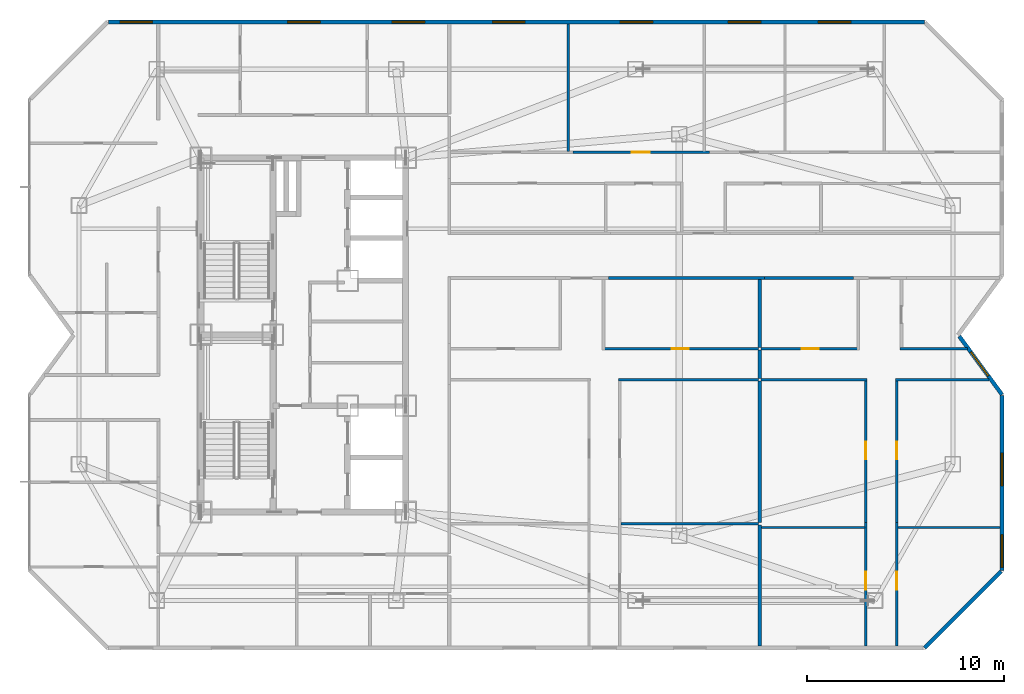
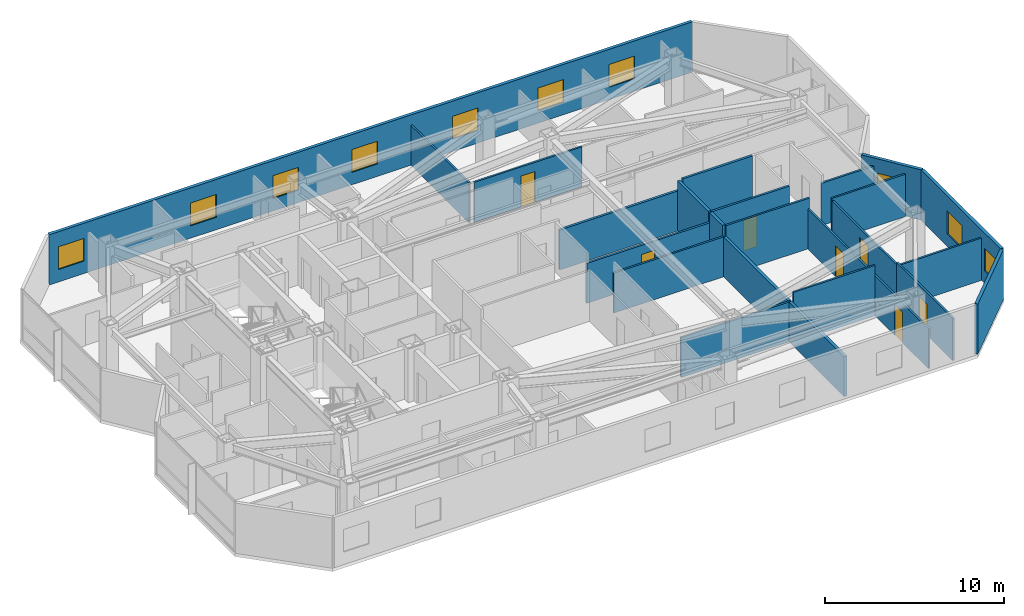
# One storey, part 13 of 15: 25 walls, 10 windows, 7 doors, 17 openings.
"""IFC4 building model written with IfcOpenShell, lengths in metres."""

from ifc_helpers import new_model, si_unit, direction, frame, frame_2d, origin, place, context, subcontext, project, spatial, rectangle, extrude, material, layer, layer_set, type_object, element, fill, save


model = new_model("IFC4")

# Units and contexts
model_context = context("Model", 3, precision=1e-05, world=origin(), true_north=direction((0.0, 1.0)))
body_context = subcontext(model_context, "Body", "Model", "MODEL_VIEW")
ifc_project = project(units=[si_unit("LENGTHUNIT", "METRE"), si_unit("AREAUNIT", "SQUARE_METRE"), si_unit("VOLUMEUNIT", "CUBIC_METRE"), si_unit("PLANEANGLEUNIT", "RADIAN"), si_unit("MASSUNIT", "GRAM", prefix="KILO")], contexts=[model_context])

# Site, building, storey
site_placement = place(None, origin())
site = spatial("IfcSite", under=ifc_project, at=site_placement, CompositionType="ELEMENT")
building_placement = place(site_placement, origin())
building = spatial("IfcBuilding", under=site, at=building_placement, Name="Khamvora Tower", CompositionType="ELEMENT")
storey_placement = place(building_placement, frame((0.0, 0.0, 220.85009765625)))
storey = spatial("IfcBuildingStorey", under=building, at=storey_placement, Name="L56", CompositionType="ELEMENT", Elevation=220.85009765625)

# Walls
ifc_material_1 = material(Name="Fire-Rated Drywall and Steel Stud", Category="steel")
ifc_layer_1 = layer(ifc_material_1, 0.14990234375)
ifc_layer_set_1 = layer_set([ifc_layer_1], Name="Fire-Rated Drywall and Steel Stud")
wall_type_1 = type_object("IfcWallType", Name="WAL-CORR-150", PredefinedType="STANDARD", material=ifc_layer_set_1)
wall_1_placement = place(storey_placement, frame((57.634033203125, 30.885009765625, 0.0), z_axis=(0.0, 0.0, 1.0), x_axis=(-1.0, 0.0, 0.0)))
element("IfcWall", 1, at=wall_1_placement, inside=storey, type_object=wall_type_1, Name="L56 interior partition wall 024", PredefinedType="STANDARD", context=body_context, shape_type="SweptSolid", body=[
    extrude(rectangle(XDim=7.93505859375, YDim=0.14990234375, at=frame_2d((3.967529296875, 0.0))), origin(), (0.0, 0.0, 1.0), 2.724853515625),
])
wall_2_placement = place(storey_placement, frame((62.14208984375, 30.885009765625, 0.0), z_axis=(0.0, 0.0, 1.0), x_axis=(-1.0, 0.0, 0.0)))
element("IfcWall", 2, at=wall_2_placement, inside=storey, type_object=wall_type_1, Name="L56 interior partition wall 029", PredefinedType="STANDARD", context=body_context, shape_type="SweptSolid", body=[
    extrude(rectangle(XDim=4.508056640625, YDim=0.14990234375, at=frame_2d((2.25390625, 0.0))), origin(), (0.0, 0.0, 1.0), 3.429931640625),
])
ifc_material_2 = material(Name="Acoustic Double-Stud Fire Wall", Category="gypsum")
ifc_layer_2 = layer(ifc_material_2, 0.179931640625)
ifc_layer_set_2 = layer_set([ifc_layer_2], Name="Acoustic Double-Stud Fire Wall")
wall_type_2 = type_object("IfcWallType", Name="WAL-CORR-180", PredefinedType="STANDARD", material=ifc_layer_set_2)
wall_3_placement = place(storey_placement, frame((57.385009765625, 27.239990234375, 0.0), z_axis=(0.0, 0.0, 1.0), x_axis=(0.0, -1.0, 0.0)))
element("IfcWall", 3, at=wall_3_placement, inside=storey, type_object=wall_type_2, Name="L56 interior partition wall 072", PredefinedType="STANDARD", context=body_context, shape_type="SweptSolid", body=[
    extrude(rectangle(XDim=1.449951171875, YDim=0.179931640625, at=frame_2d((0.72509765625, 0.0))), origin(), (0.0, 0.0, 1.0), 3.429931640625),
])
wall_4_placement = place(storey_placement, frame((57.385009765625, 30.820068359375, 0.0), z_axis=(0.0, 0.0, 1.0), x_axis=(0.0, -1.0, 0.0)))
element("IfcWall", 4, at=wall_4_placement, inside=storey, type_object=wall_type_2, Name="L56 interior partition wall 073", PredefinedType="STANDARD", context=body_context, shape_type="SweptSolid", body=[
    extrude(rectangle(XDim=3.449951171875, YDim=0.179931640625, at=frame_2d((1.72509765625, 0.0))), origin(), (0.0, 0.0, 1.0), 3.429931640625),
])
wall_5_placement = place(storey_placement, frame((57.385009765625, 18.339111328125, 0.0), z_axis=(0.0, 0.0, 1.0), x_axis=(0.0, -1.0, 0.0)))
element("IfcWall", 5, at=wall_5_placement, inside=storey, type_object=wall_type_2, Name="L56 interior partition wall 076", PredefinedType="STANDARD", context=body_context, shape_type="SweptSolid", body=[
    extrude(rectangle(XDim=6.147216796875, YDim=0.179931640625, at=frame_2d((3.07373046875, 0.0))), origin(), (0.0, 0.0, 1.0), 2.724853515625),
])
wall_6_placement = place(storey_placement, frame((57.385009765625, 25.659912109375, 0.0), z_axis=(0.0, 0.0, 1.0), x_axis=(0.0, -1.0, 0.0)))
element("IfcWall", 6, at=wall_6_placement, inside=storey, type_object=wall_type_2, Name="L56 interior partition wall 077", PredefinedType="STANDARD", context=body_context, shape_type="SweptSolid", body=[
    extrude(rectangle(XDim=7.19091796875, YDim=0.179931640625, at=frame_2d((3.595458984375, 0.0))), origin(), (0.0, 0.0, 1.0), 2.724853515625),
])

# Wall, openings, windows
ifc_material_3 = material(Name="Precast concrete C40/50", Category="concrete")
ifc_layer_3 = layer(ifc_material_3, 0.199951171875)
ifc_layer_set_3 = layer_set([ifc_layer_3], Name="Precast concrete C40/50")
wall_type_3 = type_object("IfcWallType", Name="WAL-EXT-200", PredefinedType="STANDARD", material=ifc_layer_set_3)
wall_7_placement = place(storey_placement, frame((24.302001953125, 43.89990234375, 0.0), z_axis=(0.0, 0.0, 1.0), x_axis=(1.0, 0.0, 0.0)))
wall_7 = element("IfcWall", 7, at=wall_7_placement, inside=storey, type_object=wall_type_3, Name="L56 exterior facade wall 07.1", PredefinedType="STANDARD", context=body_context, shape_type="SweptSolid", body=[
    extrude(rectangle(XDim=41.45703125, YDim=0.199951171875, at=frame_2d((20.728515625, 0.0))), origin(), (0.0, 0.0, 1.0), 3.429931640625),
])
opening_1_placement = place(wall_7_placement, frame((0.583984375, 0.0, 0.85009765625)))
opening_1 = element("IfcOpeningElement", 8, at=opening_1_placement, cuts=wall_7, Name="Opening WN-06", PredefinedType="OPENING", context=body_context, shape_type="SweptSolid", body=[
    extrude(rectangle(XDim=1.64990234375, YDim=1.550048828125, at=frame_2d((0.824951171875, 0.77490234375))), frame((0.0, 0.10986328125, 0.0), z_axis=(0.0, -1.0, 0.0), x_axis=(1.0, 0.0, 0.0)), (0.0, 0.0, 1.0), 0.219970703125),
])
opening_2_placement = place(wall_7_placement, frame((9.097900390625, 0.0, 0.85009765625)))
opening_2 = element("IfcOpeningElement", 9, at=opening_2_placement, cuts=wall_7, Name="Opening WN-06", PredefinedType="OPENING", context=body_context, shape_type="SweptSolid", body=[
    extrude(rectangle(XDim=1.64990234375, YDim=1.550048828125, at=frame_2d((0.824951171875, 0.77490234375))), frame((0.0, 0.10986328125, 0.0), z_axis=(0.0, -1.0, 0.0), x_axis=(1.0, 0.0, 0.0)), (0.0, 0.0, 1.0), 0.219970703125),
])
opening_3_placement = place(wall_7_placement, frame((14.405029296875, 0.0, 0.85009765625)))
opening_3 = element("IfcOpeningElement", 10, at=opening_3_placement, cuts=wall_7, Name="Opening WN-06", PredefinedType="OPENING", context=body_context, shape_type="SweptSolid", body=[
    extrude(rectangle(XDim=1.64990234375, YDim=1.550048828125, at=frame_2d((0.824951171875, 0.77490234375))), frame((0.0, 0.10986328125, 0.0), z_axis=(0.0, -1.0, 0.0), x_axis=(1.0, 0.0, 0.0)), (0.0, 0.0, 1.0), 0.219970703125),
])
opening_4_placement = place(wall_7_placement, frame((19.510009765625, 0.0, 0.85009765625)))
opening_4 = element("IfcOpeningElement", 11, at=opening_4_placement, cuts=wall_7, Name="Opening WN-06", PredefinedType="OPENING", context=body_context, shape_type="SweptSolid", body=[
    extrude(rectangle(XDim=1.64990234375, YDim=1.550048828125, at=frame_2d((0.824951171875, 0.77490234375))), frame((0.0, 0.10986328125, 0.0), z_axis=(0.0, -1.0, 0.0), x_axis=(1.0, 0.0, 0.0)), (0.0, 0.0, 1.0), 0.219970703125),
])
opening_5_placement = place(wall_7_placement, frame((25.991943359375, 0.0, 0.85009765625)))
opening_5 = element("IfcOpeningElement", 12, at=opening_5_placement, cuts=wall_7, Name="Opening WN-06", PredefinedType="OPENING", context=body_context, shape_type="SweptSolid", body=[
    extrude(rectangle(XDim=1.64990234375, YDim=1.550048828125, at=frame_2d((0.824951171875, 0.77490234375))), frame((0.0, 0.10986328125, 0.0), z_axis=(0.0, -1.0, 0.0), x_axis=(1.0, 0.0, 0.0)), (0.0, 0.0, 1.0), 0.219970703125),
])
opening_6_placement = place(wall_7_placement, frame((31.5, 0.0, 0.85009765625)))
opening_6 = element("IfcOpeningElement", 13, at=opening_6_placement, cuts=wall_7, Name="Opening WN-06", PredefinedType="OPENING", context=body_context, shape_type="SweptSolid", body=[
    extrude(rectangle(XDim=1.64990234375, YDim=1.550048828125, at=frame_2d((0.824951171875, 0.77490234375))), frame((0.0, 0.10986328125, 0.0), z_axis=(0.0, -1.0, 0.0), x_axis=(1.0, 0.0, 0.0)), (0.0, 0.0, 1.0), 0.219970703125),
])
opening_7_placement = place(wall_7_placement, frame((36.06591796875, 0.0, 0.85009765625)))
opening_7 = element("IfcOpeningElement", 14, at=opening_7_placement, cuts=wall_7, Name="Opening WN-06", PredefinedType="OPENING", context=body_context, shape_type="SweptSolid", body=[
    extrude(rectangle(XDim=1.64990234375, YDim=1.550048828125, at=frame_2d((0.824951171875, 0.77490234375))), frame((0.0, 0.10986328125, 0.0), z_axis=(0.0, -1.0, 0.0), x_axis=(1.0, 0.0, 0.0)), (0.0, 0.0, 1.0), 0.219970703125),
])
ifc_material_4 = material(Name="Low-E Laminated Double Glazing", Category="glass")
window_type_1 = type_object("IfcWindowType", Name="WIN-VIS-1650x1550", PartitioningType="SINGLE_PANEL", PredefinedType="WINDOW", material=ifc_material_4)
window_1_placement = place(opening_1_placement, origin())
window_1 = element("IfcWindow", 15, at=window_1_placement, inside=storey, type_object=window_type_1, Name="L56 vision window 07.1.01", OverallHeight=1.550048828125, OverallWidth=1.64990234375, PartitioningType="SINGLE_PANEL", PredefinedType="WINDOW", context=body_context, shape_type="SweptSolid", body=[
    extrude(rectangle(XDim=1.64990234375, YDim=1.550048828125, at=frame_2d((0.824951171875, 0.77490234375))), frame((0.0, 0.030029296875, 0.0), z_axis=(0.0, -1.0, 0.0), x_axis=(1.0, 0.0, 0.0)), (0.0, 0.0, 1.0), 0.06005859375),
])
fill(opening_1, window_1)
window_2_placement = place(opening_2_placement, origin())
window_2 = element("IfcWindow", 16, at=window_2_placement, inside=storey, type_object=window_type_1, Name="L56 vision window 07.1.02", OverallHeight=1.550048828125, OverallWidth=1.64990234375, PartitioningType="SINGLE_PANEL", PredefinedType="WINDOW", context=body_context, shape_type="SweptSolid", body=[
    extrude(rectangle(XDim=1.64990234375, YDim=1.550048828125, at=frame_2d((0.824951171875, 0.77490234375))), frame((0.0, 0.030029296875, 0.0), z_axis=(0.0, -1.0, 0.0), x_axis=(1.0, 0.0, 0.0)), (0.0, 0.0, 1.0), 0.06005859375),
])
fill(opening_2, window_2)
window_3_placement = place(opening_3_placement, origin())
window_3 = element("IfcWindow", 17, at=window_3_placement, inside=storey, type_object=window_type_1, Name="L56 vision window 07.1.03", OverallHeight=1.550048828125, OverallWidth=1.64990234375, PartitioningType="SINGLE_PANEL", PredefinedType="WINDOW", context=body_context, shape_type="SweptSolid", body=[
    extrude(rectangle(XDim=1.64990234375, YDim=1.550048828125, at=frame_2d((0.824951171875, 0.77490234375))), frame((0.0, 0.030029296875, 0.0), z_axis=(0.0, -1.0, 0.0), x_axis=(1.0, 0.0, 0.0)), (0.0, 0.0, 1.0), 0.06005859375),
])
fill(opening_3, window_3)
window_4_placement = place(opening_4_placement, origin())
window_4 = element("IfcWindow", 18, at=window_4_placement, inside=storey, type_object=window_type_1, Name="L56 vision window 07.1.04", OverallHeight=1.550048828125, OverallWidth=1.64990234375, PartitioningType="SINGLE_PANEL", PredefinedType="WINDOW", context=body_context, shape_type="SweptSolid", body=[
    extrude(rectangle(XDim=1.64990234375, YDim=1.550048828125, at=frame_2d((0.824951171875, 0.77490234375))), frame((0.0, 0.030029296875, 0.0), z_axis=(0.0, -1.0, 0.0), x_axis=(1.0, 0.0, 0.0)), (0.0, 0.0, 1.0), 0.06005859375),
])
fill(opening_4, window_4)
window_5_placement = place(opening_5_placement, origin())
window_5 = element("IfcWindow", 19, at=window_5_placement, inside=storey, type_object=window_type_1, Name="L56 vision window 07.1.05", OverallHeight=1.550048828125, OverallWidth=1.64990234375, PartitioningType="SINGLE_PANEL", PredefinedType="WINDOW", context=body_context, shape_type="SweptSolid", body=[
    extrude(rectangle(XDim=1.64990234375, YDim=1.550048828125, at=frame_2d((0.824951171875, 0.77490234375))), frame((0.0, 0.030029296875, 0.0), z_axis=(0.0, -1.0, 0.0), x_axis=(1.0, 0.0, 0.0)), (0.0, 0.0, 1.0), 0.06005859375),
])
fill(opening_5, window_5)
window_6_placement = place(opening_6_placement, origin())
window_6 = element("IfcWindow", 20, at=window_6_placement, inside=storey, type_object=window_type_1, Name="L56 vision window 07.1.06", OverallHeight=1.550048828125, OverallWidth=1.64990234375, PartitioningType="SINGLE_PANEL", PredefinedType="WINDOW", context=body_context, shape_type="SweptSolid", body=[
    extrude(rectangle(XDim=1.64990234375, YDim=1.550048828125, at=frame_2d((0.824951171875, 0.77490234375))), frame((0.0, 0.030029296875, 0.0), z_axis=(0.0, -1.0, 0.0), x_axis=(1.0, 0.0, 0.0)), (0.0, 0.0, 1.0), 0.06005859375),
])
fill(opening_6, window_6)
window_7_placement = place(opening_7_placement, origin())
window_7 = element("IfcWindow", 21, at=window_7_placement, inside=storey, type_object=window_type_1, Name="L56 vision window 07.1.07", OverallHeight=1.550048828125, OverallWidth=1.64990234375, PartitioningType="SINGLE_PANEL", PredefinedType="WINDOW", context=body_context, shape_type="SweptSolid", body=[
    extrude(rectangle(XDim=1.64990234375, YDim=1.550048828125, at=frame_2d((0.824951171875, 0.77490234375))), frame((0.0, 0.030029296875, 0.0), z_axis=(0.0, -1.0, 0.0), x_axis=(1.0, 0.0, 0.0)), (0.0, 0.0, 1.0), 0.06005859375),
])
fill(opening_7, window_7)

# Wall, opening, window
wall_8_placement = place(storey_placement, frame((67.527099609375, 27.930908203125, 0.0), z_axis=(0.0, 0.0, 1.0), x_axis=(0.591248456881, -0.80648946815, 0.0)))
wall_8 = element("IfcWall", 22, at=wall_8_placement, inside=storey, type_object=wall_type_3, Name="L56 exterior facade wall 11.1", PredefinedType="STANDARD", context=body_context, shape_type="SweptSolid", body=[
    extrude(rectangle(XDim=3.675048828125, YDim=0.199951171875, at=frame_2d((1.83740234375, 0.0))), origin(), (0.0, 0.0, 1.0), 3.429931640625),
])
opening_8_placement = place(wall_8_placement, frame((0.998046875, 0.0, 0.85009765625)))
opening_8 = element("IfcOpeningElement", 23, at=opening_8_placement, cuts=wall_8, Name="Opening WN-02", PredefinedType="OPENING", context=body_context, shape_type="SweptSolid", body=[
    extrude(rectangle(XDim=1.5, YDim=1.60009765625, at=frame_2d((0.75, 0.800048828125))), frame((0.0, 0.10986328125, 0.0), z_axis=(0.0, -1.0, 0.0), x_axis=(1.0, 0.0, 0.0)), (0.0, 0.0, 1.0), 0.219970703125),
])
window_type_2 = type_object("IfcWindowType", Name="WIN-VIS-1500x1600", PartitioningType="SINGLE_PANEL", PredefinedType="WINDOW", material=ifc_material_4)
window_8_placement = place(opening_8_placement, origin())
window_8 = element("IfcWindow", 24, at=window_8_placement, inside=storey, type_object=window_type_2, Name="L56 vision window 11.1.01", OverallHeight=1.60009765625, OverallWidth=1.5, PartitioningType="SINGLE_PANEL", PredefinedType="WINDOW", context=body_context, shape_type="SweptSolid", body=[
    extrude(rectangle(XDim=1.5, YDim=1.60009765625, at=frame_2d((0.75, 0.800048828125))), frame((0.0, 0.030029296875, 0.0), z_axis=(0.0, -1.0, 0.0), x_axis=(1.0, 0.0, 0.0)), (0.0, 0.0, 1.0), 0.06005859375),
])
fill(opening_8, window_8)

# Wall, openings, windows
wall_9_placement = place(storey_placement, frame((69.699951171875, 24.916015625, 0.0), z_axis=(0.0, 0.0, 1.0), x_axis=(0.0, -1.0, 0.0)))
wall_9 = element("IfcWall", 25, at=wall_9_placement, inside=storey, type_object=wall_type_3, Name="L56 exterior facade wall 12.1", PredefinedType="STANDARD", context=body_context, shape_type="SweptSolid", body=[
    extrude(rectangle(XDim=8.875, YDim=0.199951171875, at=frame_2d((4.4375, 0.0))), origin(), (0.0, 0.0, 1.0), 3.429931640625),
])
opening_9_placement = place(wall_9_placement, frame((7.071044921875, 0.0, 0.85009765625)))
opening_9 = element("IfcOpeningElement", 26, at=opening_9_placement, cuts=wall_9, Name="Opening WN-06", PredefinedType="OPENING", context=body_context, shape_type="SweptSolid", body=[
    extrude(rectangle(XDim=1.64990234375, YDim=1.550048828125, at=frame_2d((0.824951171875, 0.77490234375))), frame((0.0, 0.10986328125, 0.0), z_axis=(0.0, -1.0, 0.0), x_axis=(1.0, 0.0, 0.0)), (0.0, 0.0, 1.0), 0.219970703125),
])
opening_10_placement = place(wall_9_placement, frame((2.91796875, 0.0, 0.85009765625)))
opening_10 = element("IfcOpeningElement", 27, at=opening_10_placement, cuts=wall_9, Name="Opening WN-06", PredefinedType="OPENING", context=body_context, shape_type="SweptSolid", body=[
    extrude(rectangle(XDim=1.64990234375, YDim=1.550048828125, at=frame_2d((0.824951171875, 0.77490234375))), frame((0.0, 0.10986328125, 0.0), z_axis=(0.0, -1.0, 0.0), x_axis=(1.0, 0.0, 0.0)), (0.0, 0.0, 1.0), 0.219970703125),
])
window_9_placement = place(opening_9_placement, origin())
window_9 = element("IfcWindow", 28, at=window_9_placement, inside=storey, type_object=window_type_1, Name="L56 vision window 12.1.01", OverallHeight=1.550048828125, OverallWidth=1.64990234375, PartitioningType="SINGLE_PANEL", PredefinedType="WINDOW", context=body_context, shape_type="SweptSolid", body=[
    extrude(rectangle(XDim=1.64990234375, YDim=1.550048828125, at=frame_2d((0.824951171875, 0.77490234375))), frame((0.0, 0.030029296875, 0.0), z_axis=(0.0, -1.0, 0.0), x_axis=(1.0, 0.0, 0.0)), (0.0, 0.0, 1.0), 0.06005859375),
])
fill(opening_9, window_9)
window_10_placement = place(opening_10_placement, origin())
window_10 = element("IfcWindow", 29, at=window_10_placement, inside=storey, type_object=window_type_1, Name="L56 vision window 12.1.02", OverallHeight=1.550048828125, OverallWidth=1.64990234375, PartitioningType="SINGLE_PANEL", PredefinedType="WINDOW", context=body_context, shape_type="SweptSolid", body=[
    extrude(rectangle(XDim=1.64990234375, YDim=1.550048828125, at=frame_2d((0.824951171875, 0.77490234375))), frame((0.0, 0.030029296875, 0.0), z_axis=(0.0, -1.0, 0.0), x_axis=(1.0, 0.0, 0.0)), (0.0, 0.0, 1.0), 0.06005859375),
])
fill(opening_10, window_10)

# Walls
wall_10_placement = place(storey_placement, frame((69.655029296875, 15.99609375, 0.0), z_axis=(0.0, 0.0, 1.0), x_axis=(-0.707106781187, -0.707106781187, 0.0)))
element("IfcWall", 30, at=wall_10_placement, inside=storey, type_object=wall_type_3, Name="L56 exterior facade wall 13.1", PredefinedType="STANDARD", context=body_context, shape_type="SweptSolid", body=[
    extrude(rectangle(XDim=5.509765625, YDim=0.199951171875, at=frame_2d((2.7548828125, 0.0))), origin(), (0.0, 0.0, 1.0), 3.429931640625),
])
ifc_material_5 = material(Name="Gypsum Plasterboard Partition", Category="gypsum")
ifc_layer_4 = layer(ifc_material_5, 0.1201171875)
ifc_layer_set_4 = layer_set([ifc_layer_4], Name="Gypsum Plasterboard Partition")
wall_type_4 = type_object("IfcWallType", Name="WAL-PART-120", PredefinedType="PARTITIONING", material=ifc_layer_set_4)
wall_11_placement = place(storey_placement, frame((57.320068359375, 25.72509765625, 0.0), z_axis=(0.0, 0.0, 1.0), x_axis=(-1.0, 0.0, 0.0)))
element("IfcWall", 31, at=wall_11_placement, inside=storey, type_object=wall_type_4, Name="L56 interior partition wall 070", PredefinedType="PARTITIONING", context=body_context, shape_type="SweptSolid", body=[
    extrude(rectangle(XDim=7.10009765625, YDim=0.1201171875, at=frame_2d((3.550048828125, 0.0))), origin(), (0.0, 0.0, 1.0), 2.724853515625),
])
wall_12_placement = place(storey_placement, frame((50.339111328125, 18.404052734375, 0.0), z_axis=(0.0, 0.0, 1.0), x_axis=(1.0, 0.0, 0.0)))
element("IfcWall", 32, at=wall_12_placement, inside=storey, type_object=wall_type_4, Name="L56 interior partition wall 075", PredefinedType="PARTITIONING", context=body_context, shape_type="SweptSolid", body=[
    extrude(rectangle(XDim=6.98095703125, YDim=0.1201171875, at=frame_2d((3.490478515625, 0.0))), origin(), (0.0, 0.0, 1.0), 2.724853515625),
])

# Wall, opening, door
wall_13_placement = place(storey_placement, frame((62.784912109375, 12.19189453125, 0.0), z_axis=(0.0, 0.0, 1.0), x_axis=(0.0, 1.0, 0.0)))
wall_13 = element("IfcWall", 33, at=wall_13_placement, inside=storey, type_object=wall_type_4, Name="L56 interior partition wall 082", PredefinedType="PARTITIONING", context=body_context, shape_type="SweptSolid", body=[
    extrude(rectangle(XDim=6.27099609375, YDim=0.1201171875, at=frame_2d((3.135498046875, 0.0))), origin(), (0.0, 0.0, 1.0), 2.724853515625),
])
opening_11_placement = place(wall_13_placement, frame((2.864013671875, 0.0, 0.0)))
opening_11 = element("IfcOpeningElement", 34, at=opening_11_placement, cuts=wall_13, Name="Opening D-RM1", PredefinedType="OPENING", context=body_context, shape_type="SweptSolid", body=[
    extrude(rectangle(XDim=0.89990234375, YDim=2.10009765625, at=frame_2d((0.449951171875, 1.050048828125))), frame((0.0, 0.070068359375, 0.0), z_axis=(0.0, -1.0, 0.0), x_axis=(1.0, 0.0, 0.0)), (0.0, 0.0, 1.0), 0.14013671875),
])
ifc_material_6 = material(Name="Powder-Coated Steel and Hardwood Leaf", Category="steel")
door_type_1 = type_object("IfcDoorType", Name="DOR-ROOM-900", OperationType="NOTDEFINED", PredefinedType="DOOR", material=ifc_material_6)
door_1_placement = place(opening_11_placement, origin())
door_1 = element("IfcDoor", 35, at=door_1_placement, inside=storey, type_object=door_type_1, Name="L56 interior door 56EBH-56EBL", OperationType="SINGLE_SWING_RIGHT", OverallHeight=2.10009765625, OverallWidth=0.89990234375, PredefinedType="DOOR", context=body_context, shape_type="SweptSolid", body=[
    extrude(rectangle(XDim=0.89990234375, YDim=2.10009765625, at=frame_2d((0.449951171875, 1.050048828125))), frame((0.0, 0.02490234375, 0.0), z_axis=(0.0, -1.0, 0.0), x_axis=(1.0, 0.0, 0.0)), (0.0, 0.0, 1.0), 0.050048828125),
])
fill(opening_11, door_1)

wall_14_placement = place(storey_placement, frame((62.784912109375, 18.462890625, 0.0), z_axis=(0.0, 0.0, 1.0), x_axis=(0.0, 1.0, 0.0)))
wall_14 = element("IfcWall", 36, at=wall_14_placement, inside=storey, type_object=wall_type_4, Name="L56 interior partition wall 083", PredefinedType="PARTITIONING", context=body_context, shape_type="SweptSolid", body=[
    extrude(rectangle(XDim=7.3271484375, YDim=0.1201171875, at=frame_2d((3.66357421875, 0.0))), origin(), (0.0, 0.0, 1.0), 2.724853515625),
])
opening_12_placement = place(wall_14_placement, frame((3.212890625, 0.0, 0.0)))
opening_12 = element("IfcOpeningElement", 37, at=opening_12_placement, cuts=wall_14, Name="Opening D-RM1", PredefinedType="OPENING", context=body_context, shape_type="SweptSolid", body=[
    extrude(rectangle(XDim=0.89990234375, YDim=2.10009765625, at=frame_2d((0.449951171875, 1.050048828125))), frame((0.0, 0.070068359375, 0.0), z_axis=(0.0, -1.0, 0.0), x_axis=(1.0, 0.0, 0.0)), (0.0, 0.0, 1.0), 0.14013671875),
])
door_2_placement = place(opening_12_placement, origin())
door_2 = element("IfcDoor", 38, at=door_2_placement, inside=storey, type_object=door_type_1, Name="L56 interior door 56EBH-56EBR2", OperationType="SINGLE_SWING_RIGHT", OverallHeight=2.10009765625, OverallWidth=0.89990234375, PredefinedType="DOOR", context=body_context, shape_type="SweptSolid", body=[
    extrude(rectangle(XDim=0.89990234375, YDim=2.10009765625, at=frame_2d((0.449951171875, 1.050048828125))), frame((0.0, 0.02490234375, 0.0), z_axis=(0.0, -1.0, 0.0), x_axis=(1.0, 0.0, 0.0)), (0.0, 0.0, 1.0), 0.050048828125),
])
fill(opening_12, door_2)

# Wall
wall_15_placement = place(storey_placement, frame((62.85009765625, 25.72509765625, 0.0), z_axis=(0.0, 0.0, 1.0), x_axis=(-1.0, 0.0, 0.0)))
element("IfcWall", 39, at=wall_15_placement, inside=storey, type_object=wall_type_4, Name="L56 interior partition wall 084", PredefinedType="PARTITIONING", context=body_context, shape_type="SweptSolid", body=[
    extrude(rectangle(XDim=5.400146484375, YDim=0.1201171875, at=frame_2d((2.7001953125, 0.0))), origin(), (0.0, 0.0, 1.0), 3.429931640625),
])

# Wall, opening, door
wall_16_placement = place(storey_placement, frame((64.35498046875, 18.462890625, 0.0), z_axis=(0.0, 0.0, 1.0), x_axis=(0.0, -1.0, 0.0)))
wall_16 = element("IfcWall", 40, at=wall_16_placement, inside=storey, type_object=wall_type_4, Name="L56 interior partition wall 085", PredefinedType="PARTITIONING", context=body_context, shape_type="SweptSolid", body=[
    extrude(rectangle(XDim=6.27099609375, YDim=0.1201171875, at=frame_2d((3.135498046875, 0.0))), origin(), (0.0, 0.0, 1.0), 2.886962890625),
])
opening_13_placement = place(wall_16_placement, frame((2.507080078125, 0.0, 0.0)))
opening_13 = element("IfcOpeningElement", 41, at=opening_13_placement, cuts=wall_16, Name="Opening D-RM1", PredefinedType="OPENING", context=body_context, shape_type="SweptSolid", body=[
    extrude(rectangle(XDim=0.89990234375, YDim=2.10009765625, at=frame_2d((0.449951171875, 1.050048828125))), frame((0.0, 0.070068359375, 0.0), z_axis=(0.0, -1.0, 0.0), x_axis=(1.0, 0.0, 0.0)), (0.0, 0.0, 1.0), 0.14013671875),
])
door_3_placement = place(opening_13_placement, origin())
door_3 = element("IfcDoor", 42, at=door_3_placement, inside=storey, type_object=door_type_1, Name="L56 interior door 56EBH-56EBR3", OperationType="SINGLE_SWING_LEFT", OverallHeight=2.10009765625, OverallWidth=0.89990234375, PredefinedType="DOOR", context=body_context, shape_type="SweptSolid", body=[
    extrude(rectangle(XDim=0.89990234375, YDim=2.10009765625, at=frame_2d((0.449951171875, 1.050048828125))), frame((0.0, 0.02490234375, 0.0), z_axis=(0.0, -1.0, 0.0), x_axis=(1.0, 0.0, 0.0)), (0.0, 0.0, 1.0), 0.050048828125),
])
fill(opening_13, door_3)

wall_17_placement = place(storey_placement, frame((64.35498046875, 25.7900390625, 0.0), z_axis=(0.0, 0.0, 1.0), x_axis=(0.0, -1.0, 0.0)))
wall_17 = element("IfcWall", 43, at=wall_17_placement, inside=storey, type_object=wall_type_4, Name="L56 interior partition wall 086", PredefinedType="PARTITIONING", context=body_context, shape_type="SweptSolid", body=[
    extrude(rectangle(XDim=7.3271484375, YDim=0.1201171875, at=frame_2d((3.66357421875, 0.0))), origin(), (0.0, 0.0, 1.0), 2.724853515625),
])
opening_14_placement = place(wall_17_placement, frame((3.212890625, 0.0, 0.0)))
opening_14 = element("IfcOpeningElement", 44, at=opening_14_placement, cuts=wall_17, Name="Opening D-RM1", PredefinedType="OPENING", context=body_context, shape_type="SweptSolid", body=[
    extrude(rectangle(XDim=0.89990234375, YDim=2.10009765625, at=frame_2d((0.449951171875, 1.050048828125))), frame((0.0, 0.070068359375, 0.0), z_axis=(0.0, -1.0, 0.0), x_axis=(1.0, 0.0, 0.0)), (0.0, 0.0, 1.0), 0.14013671875),
])
door_4_placement = place(opening_14_placement, origin())
door_4 = element("IfcDoor", 45, at=door_4_placement, inside=storey, type_object=door_type_1, Name="L56 interior door 56EBH-56EBR4", OperationType="SINGLE_SWING_LEFT", OverallHeight=2.10009765625, OverallWidth=0.89990234375, PredefinedType="DOOR", context=body_context, shape_type="SweptSolid", body=[
    extrude(rectangle(XDim=0.89990234375, YDim=2.10009765625, at=frame_2d((0.449951171875, 1.050048828125))), frame((0.0, 0.02490234375, 0.0), z_axis=(0.0, -1.0, 0.0), x_axis=(1.0, 0.0, 0.0)), (0.0, 0.0, 1.0), 0.050048828125),
])
fill(opening_14, door_4)

# Walls
wall_18_placement = place(storey_placement, frame((69.041015625, 25.72509765625, 0.0), z_axis=(0.0, 0.0, 1.0), x_axis=(-1.0, 0.0, 0.0)))
element("IfcWall", 46, at=wall_18_placement, inside=storey, type_object=wall_type_4, Name="L56 interior partition wall 087", PredefinedType="PARTITIONING", context=body_context, shape_type="SweptSolid", body=[
    extrude(rectangle(XDim=4.7509765625, YDim=0.1201171875, at=frame_2d((2.37548828125, 0.0))), origin(), (0.0, 0.0, 1.0), 2.886962890625),
])
wall_19_placement = place(storey_placement, frame((57.467041015625, 18.214111328125, 0.0), z_axis=(0.0, 0.0, 1.0), x_axis=(1.0, 0.0, 0.0)))
element("IfcWall", 47, at=wall_19_placement, inside=storey, type_object=wall_type_4, Name="L56 interior partition wall 088", PredefinedType="PARTITIONING", context=body_context, shape_type="SweptSolid", body=[
    extrude(rectangle(XDim=5.263916015625, YDim=0.1201171875, at=frame_2d((2.6318359375, 0.0))), origin(), (0.0, 0.0, 1.0), 3.429931640625),
])
wall_20_placement = place(storey_placement, frame((64.408935546875, 18.214111328125, 0.0), z_axis=(0.0, 0.0, 1.0), x_axis=(1.0, 0.0, 0.0)))
element("IfcWall", 48, at=wall_20_placement, inside=storey, type_object=wall_type_4, Name="L56 interior partition wall 089", PredefinedType="PARTITIONING", context=body_context, shape_type="SweptSolid", body=[
    extrude(rectangle(XDim=5.198974609375, YDim=0.1201171875, at=frame_2d((2.599609375, 0.0))), origin(), (0.0, 0.0, 1.0), 2.886962890625),
])

# Wall, opening, door
wall_21_placement = place(storey_placement, frame((47.907958984375, 37.27490234375, 0.0), z_axis=(0.0, 0.0, 1.0), x_axis=(1.0, 0.0, 0.0)))
wall_21 = element("IfcWall", 49, at=wall_21_placement, inside=storey, type_object=wall_type_4, Name="L56 interior partition wall 099", PredefinedType="PARTITIONING", context=body_context, shape_type="SweptSolid", body=[
    extrude(rectangle(XDim=6.921142578125, YDim=0.1201171875, at=frame_2d((3.46044921875, 0.0))), origin(), (0.0, 0.0, 1.0), 2.724853515625),
])
opening_15_placement = place(wall_21_placement, frame((2.989013671875, 0.0, 0.0)))
opening_15 = element("IfcOpeningElement", 50, at=opening_15_placement, cuts=wall_21, Name="Opening D-RM1", PredefinedType="OPENING", context=body_context, shape_type="SweptSolid", body=[
    extrude(rectangle(XDim=0.89990234375, YDim=2.10009765625, at=frame_2d((0.449951171875, 1.050048828125))), frame((0.0, 0.070068359375, 0.0), z_axis=(0.0, -1.0, 0.0), x_axis=(1.0, 0.0, 0.0)), (0.0, 0.0, 1.0), 0.14013671875),
])
door_5_placement = place(opening_15_placement, origin())
door_5 = element("IfcDoor", 51, at=door_5_placement, inside=storey, type_object=door_type_1, Name="L56 interior door 56ECH-56ECR2", OperationType="SINGLE_SWING_LEFT", OverallHeight=2.10009765625, OverallWidth=0.89990234375, PredefinedType="DOOR", context=body_context, shape_type="SweptSolid", body=[
    extrude(rectangle(XDim=0.89990234375, YDim=2.10009765625, at=frame_2d((0.449951171875, 1.050048828125))), frame((0.0, 0.02490234375, 0.0), z_axis=(0.0, -1.0, 0.0), x_axis=(1.0, 0.0, 0.0)), (0.0, 0.0, 1.0), 0.050048828125),
])
fill(opening_15, door_5)

# Wall
wall_22_placement = place(storey_placement, frame((47.658935546875, 43.80810546875, 0.0), z_axis=(0.0, 0.0, 1.0), x_axis=(0.0, -1.0, 0.0)))
element("IfcWall", 52, at=wall_22_placement, inside=storey, type_object=wall_type_4, Name="L56 interior partition wall 103", PredefinedType="PARTITIONING", context=body_context, shape_type="SweptSolid", body=[
    extrude(rectangle(XDim=6.47900390625, YDim=0.1201171875, at=frame_2d((3.239501953125, 0.0))), origin(), (0.0, 0.0, 1.0), 2.724853515625),
])

# Wall, opening, door
ifc_material_7 = material(Name="Moisture-Resistant Plasterboard Partition", Category="gypsum")
ifc_layer_5 = layer(ifc_material_7, 0.135009765625)
ifc_layer_set_5 = layer_set([ifc_layer_5], Name="Moisture-Resistant Plasterboard Partition")
wall_type_5 = type_object("IfcWallType", Name="WAL-WET-135", PredefinedType="PARTITIONING", material=ifc_layer_set_5)
wall_23_placement = place(storey_placement, frame((49.385009765625, 27.304931640625, 0.0), z_axis=(0.0, 0.0, 1.0), x_axis=(1.0, 0.0, 0.0)))
wall_23 = element("IfcWall", 53, at=wall_23_placement, inside=storey, type_object=wall_type_5, Name="L56 interior partition wall 065", PredefinedType="PARTITIONING", context=body_context, shape_type="SweptSolid", body=[
    extrude(rectangle(XDim=7.93505859375, YDim=0.135009765625, at=frame_2d((3.967529296875, 0.0))), origin(), (0.0, 0.0, 1.0), 2.724853515625),
])
opening_16_placement = place(wall_23_placement, frame((3.5419921875, 0.0, 0.0)))
opening_16 = element("IfcOpeningElement", 54, at=opening_16_placement, cuts=wall_23, Name="Opening D-RM2", PredefinedType="OPENING", context=body_context, shape_type="SweptSolid", body=[
    extrude(rectangle(XDim=0.85009765625, YDim=2.10009765625, at=frame_2d((0.425048828125, 1.050048828125))), frame((0.0, 0.077392578125, 0.0), z_axis=(0.0, -1.0, 0.0), x_axis=(1.0, 0.0, 0.0)), (0.0, 0.0, 1.0), 0.155029296875),
])
door_type_2 = type_object("IfcDoorType", Name="DOR-ROOM-850", OperationType="NOTDEFINED", PredefinedType="DOOR", material=ifc_material_6)
door_6_placement = place(opening_16_placement, origin())
door_6 = element("IfcDoor", 55, at=door_6_placement, inside=storey, type_object=door_type_2, Name="L56 interior door 56EAH-56EAK", OperationType="SINGLE_SWING_RIGHT", OverallHeight=2.10009765625, OverallWidth=0.85009765625, PredefinedType="DOOR", context=body_context, shape_type="SweptSolid", body=[
    extrude(rectangle(XDim=0.85009765625, YDim=2.10009765625, at=frame_2d((0.425048828125, 1.050048828125))), frame((0.0, 0.02490234375, 0.0), z_axis=(0.0, -1.0, 0.0), x_axis=(1.0, 0.0, 0.0)), (0.0, 0.0, 1.0), 0.050048828125),
])
fill(opening_16, door_6)

# Wall
wall_24_placement = place(storey_placement, frame((64.52587890625, 27.304931640625, 0.0), z_axis=(0.0, 0.0, 1.0), x_axis=(1.0, 0.0, 0.0)))
element("IfcWall", 56, at=wall_24_placement, inside=storey, type_object=wall_type_5, Name="L56 interior partition wall 079", PredefinedType="PARTITIONING", context=body_context, shape_type="SweptSolid", body=[
    extrude(rectangle(XDim=3.43115234375, YDim=0.135009765625, at=frame_2d((1.715576171875, 0.0))), origin(), (0.0, 0.0, 1.0), 2.886962890625),
])

# Wall, opening, door
wall_25_placement = place(storey_placement, frame((57.449951171875, 27.304931640625, 0.0), z_axis=(0.0, 0.0, 1.0), x_axis=(1.0, 0.0, 0.0)))
wall_25 = element("IfcWall", 57, at=wall_25_placement, inside=storey, type_object=wall_type_5, Name="L56 interior partition wall 080", PredefinedType="PARTITIONING", context=body_context, shape_type="SweptSolid", body=[
    extrude(rectangle(XDim=5.006103515625, YDim=0.135009765625, at=frame_2d((2.5029296875, 0.0))), origin(), (0.0, 0.0, 1.0), 3.429931640625),
])
opening_17_placement = place(wall_25_placement, frame((2.077880859375, 0.0, 0.0)))
opening_17 = element("IfcOpeningElement", 58, at=opening_17_placement, cuts=wall_25, Name="Opening D-RM2", PredefinedType="OPENING", context=body_context, shape_type="SweptSolid", body=[
    extrude(rectangle(XDim=0.85009765625, YDim=2.10009765625, at=frame_2d((0.425048828125, 1.050048828125))), frame((0.0, 0.077392578125, 0.0), z_axis=(0.0, -1.0, 0.0), x_axis=(1.0, 0.0, 0.0)), (0.0, 0.0, 1.0), 0.155029296875),
])
door_7_placement = place(opening_17_placement, origin())
door_7 = element("IfcDoor", 59, at=door_7_placement, inside=storey, type_object=door_type_2, Name="L56 interior door 56EBH-56EBK", OperationType="SINGLE_SWING_RIGHT", OverallHeight=2.10009765625, OverallWidth=0.85009765625, PredefinedType="DOOR", context=body_context, shape_type="SweptSolid", body=[
    extrude(rectangle(XDim=0.85009765625, YDim=2.10009765625, at=frame_2d((0.425048828125, 1.050048828125))), frame((0.0, 0.02490234375, 0.0), z_axis=(0.0, -1.0, 0.0), x_axis=(1.0, 0.0, 0.0)), (0.0, 0.0, 1.0), 0.050048828125),
])
fill(opening_17, door_7)

save(model, "model.ifc")
